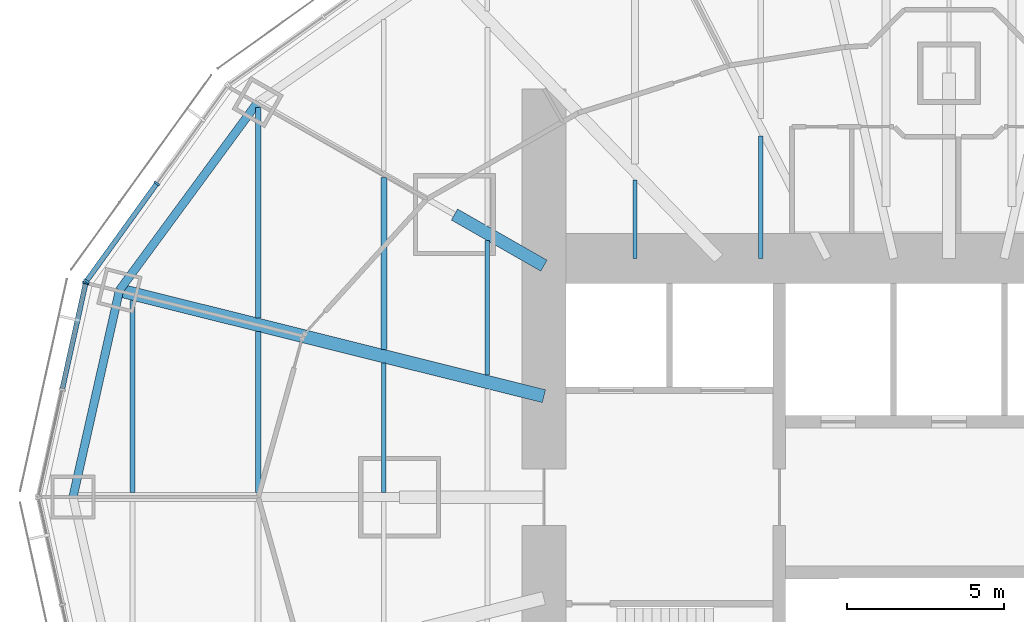
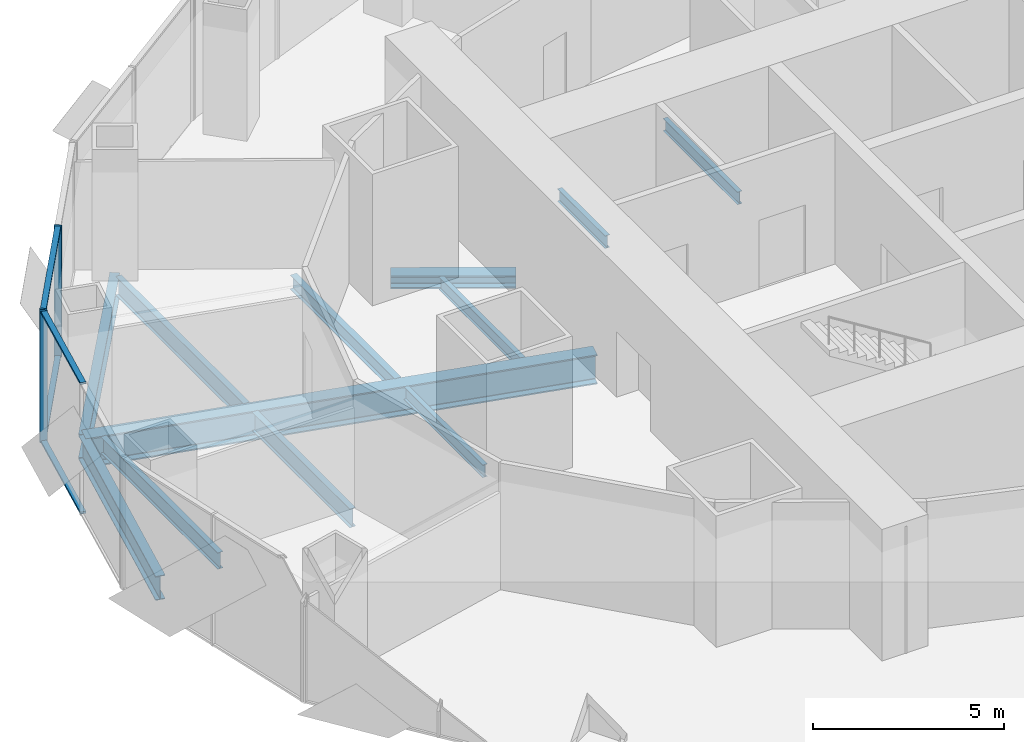
# One storey, part 4 of 17: 12 beams, 7 members, 2 elements without a shape of their own.
"""IFC4 building model written with IfcOpenShell, lengths in metres."""

from ifc_helpers import new_model, si_unit, direction, frame, origin, origin_2d, place, context, subcontext, project, spatial, rectangle, i_section, extrude, material, material_profile, profile_set, type_object, element, aggregate, save


model = new_model("IFC4")

# Units and contexts
model_context = context("Model", 3, precision=1e-05, world=origin(), true_north=direction((0.0, 1.0)))
body_context = subcontext(model_context, "Body", "Model", "MODEL_VIEW")
ifc_project = project(units=[si_unit("LENGTHUNIT", "METRE"), si_unit("AREAUNIT", "SQUARE_METRE"), si_unit("VOLUMEUNIT", "CUBIC_METRE"), si_unit("PLANEANGLEUNIT", "RADIAN"), si_unit("MASSUNIT", "GRAM", prefix="KILO")], contexts=[model_context])

# Site, building, storey
site_placement = place(None, origin())
site = spatial("IfcSite", under=ifc_project, at=site_placement, CompositionType="ELEMENT")
building_placement = place(site_placement, origin())
building = spatial("IfcBuilding", under=site, at=building_placement, Name="Lantaw Convention Tower", CompositionType="ELEMENT")
storey_placement = place(building_placement, frame((0.0, 0.0, 125.800048828125)))
storey = spatial("IfcBuildingStorey", under=building, at=storey_placement, Name="L29", CompositionType="ELEMENT", Elevation=125.800048828125)

# Beams
ifc_material_1 = material(Name="Steel ASTM A992", Category="steel")
ifc_material_profile_1 = material_profile(ifc_material_1, i_section(OverallWidth=0.2666015625, OverallDepth=0.76953125, WebThickness=0.015625, FlangeThickness=0.025390625, FilletRadius=0.0126953125, at=origin_2d()), Name="W30X132")
ifc_profile_set_1 = profile_set([ifc_material_profile_1], Name="Steel ASTM A992")
beam_type_1 = type_object("IfcBeamType", Name="Beam E W30X132", PredefinedType="SPANDREL", material=ifc_profile_set_1)
beam_1_placement = place(storey_placement, frame((-22.013916015625, 12.579345703125, -0.534912109375), z_axis=(-0.5923891972, -0.805651934176, 0.0), x_axis=(0.805651934176, -0.5923891972, 0.0)))
element("IfcBeam", 1, at=beam_1_placement, inside=storey, type_object=beam_type_1, Name="Edge beam 11", PredefinedType="SPANDREL", context=body_context, shape_type="SweptSolid", body=[
    extrude(i_section(OverallWidth=0.2666015625, OverallDepth=0.76953125, WebThickness=0.015625, FlangeThickness=0.025390625, FilletRadius=0.0126953125, at=origin_2d()), origin(), (0.0, 0.0, 1.0), 7.437744140625),
])
beam_2_placement = place(storey_placement, frame((-26.419921875, 6.587158203125, -0.534912109375), z_axis=(-0.219211877447, -0.975677279015, 0.0), x_axis=(0.975677279015, -0.219211877447, 0.0)))
element("IfcBeam", 2, at=beam_2_placement, inside=storey, type_object=beam_type_1, Name="Edge beam 12", PredefinedType="SPANDREL", context=body_context, shape_type="SweptSolid", body=[
    extrude(i_section(OverallWidth=0.2666015625, OverallDepth=0.76953125, WebThickness=0.015625, FlangeThickness=0.025390625, FilletRadius=0.0126953125, at=origin_2d()), origin(), (0.0, 0.0, 1.0), 6.75146484375),
])
ifc_material_profile_2 = material_profile(ifc_material_1, i_section(OverallWidth=0.421630859375, OverallDepth=0.937255859375, WebThickness=0.0224609375, FlangeThickness=0.039794921875, FilletRadius=0.02001953125, at=origin_2d()), Name="W36X282")
ifc_profile_set_2 = profile_set([ifc_material_profile_2], Name="Steel ASTM A992")
beam_type_2 = type_object("IfcBeamType", Name="Beam G W36X282", PredefinedType="BEAM", material=ifc_profile_set_2)
beam_3_placement = place(storey_placement, frame((-12.89990234375, 3.21630859375, -0.61865234375), z_axis=(-0.970296903132, 0.24191717544, 0.0), x_axis=(-0.24191717544, -0.970296903132, 0.0)))
element("IfcBeam", 3, at=beam_3_placement, inside=storey, type_object=beam_type_2, Name="Floor girder on ray 12", PredefinedType="BEAM", context=body_context, shape_type="SweptSolid", body=[
    extrude(i_section(OverallWidth=0.421630859375, OverallDepth=0.937255859375, WebThickness=0.0224609375, FlangeThickness=0.039794921875, FilletRadius=0.02001953125, at=origin_2d()), origin(), (0.0, 0.0, 1.0), 13.933837890625),
])
ifc_material_profile_3 = material_profile(ifc_material_1, i_section(OverallWidth=0.40380859375, OverallDepth=0.406494140625, WebThickness=0.027099609375, FlangeThickness=0.043701171875, FilletRadius=0.01513671875, at=origin_2d()), Name="W14X233")
ifc_profile_set_3 = profile_set([ifc_material_profile_3], Name="Steel ASTM A992")
beam_type_3 = type_object("IfcBeamType", Name="Beam GM W14X233", PredefinedType="BEAM", material=ifc_profile_set_3)
beam_4_placement = place(storey_placement, frame((-12.89990234375, 7.371337890625, -0.353271484375), z_axis=(-0.868238565244, 0.496146947811, 0.0), x_axis=(-0.496146947811, -0.868238565244, 0.0)))
element("IfcBeam", 4, at=beam_4_placement, inside=storey, type_object=beam_type_3, Name="Core link beam on ray 11", PredefinedType="BEAM", context=body_context, shape_type="SweptSolid", body=[
    extrude(i_section(OverallWidth=0.40380859375, OverallDepth=0.406494140625, WebThickness=0.027099609375, FlangeThickness=0.043701171875, FilletRadius=0.01513671875, at=origin_2d()), origin(), (0.0, 0.0, 1.0), 3.28271484375),
])
ifc_material_profile_4 = material_profile(ifc_material_1, i_section(OverallWidth=0.140380859375, OverallDepth=0.40380859375, WebThickness=0.007080078125, FlangeThickness=0.01123046875, FilletRadius=0.01025390625, at=origin_2d()), Name="W16X31")
ifc_profile_set_4 = profile_set([ifc_material_profile_4], Name="Steel ASTM A992")
beam_type_4 = type_object("IfcBeamType", Name="Beam J W16X31", PredefinedType="JOIST", material=ifc_profile_set_4)
beam_5_placement = place(storey_placement, frame((-18.0, 0.14599609375, -0.35205078125), z_axis=(0.0, 1.0, 0.0), x_axis=(-1.0, 0.0, 0.0)))
element("IfcBeam", 5, at=beam_5_placement, inside=storey, type_object=beam_type_4, Name="Floor joist", PredefinedType="JOIST", context=body_context, shape_type="SweptSolid", body=[
    extrude(i_section(OverallWidth=0.140380859375, OverallDepth=0.40380859375, WebThickness=0.007080078125, FlangeThickness=0.01123046875, FilletRadius=0.01025390625, at=origin_2d()), origin(), (0.0, 0.0, 1.0), 4.124755859375),
])
beam_6_placement = place(storey_placement, frame((-14.699951171875, 3.88232421875, -0.35205078125), z_axis=(0.0, 1.0, 0.0), x_axis=(-1.0, 0.0, 0.0)))
element("IfcBeam", 6, at=beam_6_placement, inside=storey, type_object=beam_type_4, Name="Floor joist", PredefinedType="JOIST", context=body_context, shape_type="SweptSolid", body=[
    extrude(i_section(OverallWidth=0.140380859375, OverallDepth=0.40380859375, WebThickness=0.007080078125, FlangeThickness=0.01123046875, FilletRadius=0.01025390625, at=origin_2d()), origin(), (0.0, 0.0, 1.0), 4.28515625),
])
beam_7_placement = place(storey_placement, frame((-10.0, 7.60009765625, -0.35205078125), z_axis=(0.0, 1.0, 0.0), x_axis=(-1.0, 0.0, 0.0)))
element("IfcBeam", 7, at=beam_7_placement, inside=storey, type_object=beam_type_4, Name="Floor joist", PredefinedType="JOIST", context=body_context, shape_type="SweptSolid", body=[
    extrude(i_section(OverallWidth=0.140380859375, OverallDepth=0.40380859375, WebThickness=0.007080078125, FlangeThickness=0.01123046875, FilletRadius=0.01025390625, at=origin_2d()), origin(), (0.0, 0.0, 1.0), 2.49560546875),
])
beam_8_placement = place(storey_placement, frame((-6.0, 7.60009765625, -0.35205078125), z_axis=(0.0, 1.0, 0.0), x_axis=(-1.0, 0.0, 0.0)))
element("IfcBeam", 8, at=beam_8_placement, inside=storey, type_object=beam_type_4, Name="Floor joist", PredefinedType="JOIST", context=body_context, shape_type="SweptSolid", body=[
    extrude(i_section(OverallWidth=0.140380859375, OverallDepth=0.40380859375, WebThickness=0.007080078125, FlangeThickness=0.01123046875, FilletRadius=0.01025390625, at=origin_2d()), origin(), (0.0, 0.0, 1.0), 3.895751953125),
])
ifc_material_profile_5 = material_profile(ifc_material_1, i_section(OverallWidth=0.1904296875, OverallDepth=0.457275390625, WebThickness=0.009033203125, FlangeThickness=0.014404296875, FilletRadius=0.01025390625, at=origin_2d()), Name="W18X50")
ifc_profile_set_5 = profile_set([ifc_material_profile_5], Name="Steel ASTM A992")
beam_type_5 = type_object("IfcBeamType", Name="Beam J W18X50", PredefinedType="JOIST", material=ifc_profile_set_5)
beam_9_placement = place(storey_placement, frame((-18.0, 4.705078125, -0.378662109375), z_axis=(0.0, 1.0, 0.0), x_axis=(-1.0, 0.0, 0.0)))
element("IfcBeam", 9, at=beam_9_placement, inside=storey, type_object=beam_type_5, Name="Floor joist", PredefinedType="JOIST", context=body_context, shape_type="SweptSolid", body=[
    extrude(i_section(OverallWidth=0.1904296875, OverallDepth=0.457275390625, WebThickness=0.009033203125, FlangeThickness=0.014404296875, FilletRadius=0.01025390625, at=origin_2d()), origin(), (0.0, 0.0, 1.0), 5.47802734375),
])
ifc_material_profile_6 = material_profile(ifc_material_1, i_section(OverallWidth=0.1650390625, OverallDepth=0.52587890625, WebThickness=0.0087890625, FlangeThickness=0.011474609375, FilletRadius=0.0126953125, at=origin_2d()), Name="W21X44")
ifc_profile_set_6 = profile_set([ifc_material_profile_6], Name="Steel ASTM A992")
beam_type_6 = type_object("IfcBeamType", Name="Beam J W21X44", PredefinedType="JOIST", material=ifc_profile_set_6)
beam_10_placement = place(storey_placement, frame((-26.0, 0.14599609375, -0.412841796875), z_axis=(0.0, 1.0, 0.0), x_axis=(-1.0, 0.0, 0.0)))
element("IfcBeam", 10, at=beam_10_placement, inside=storey, type_object=beam_type_6, Name="Floor joist", PredefinedType="JOIST", context=body_context, shape_type="SweptSolid", body=[
    extrude(i_section(OverallWidth=0.1650390625, OverallDepth=0.52587890625, WebThickness=0.0087890625, FlangeThickness=0.011474609375, FilletRadius=0.0126953125, at=origin_2d()), origin(), (0.0, 0.0, 1.0), 6.119140625),
])
ifc_material_profile_7 = material_profile(ifc_material_1, i_section(OverallWidth=0.177978515625, OverallDepth=0.599365234375, WebThickness=0.010009765625, FlangeThickness=0.012939453125, FilletRadius=0.012939453125, at=origin_2d()), Name="W24X55")
ifc_profile_set_7 = profile_set([ifc_material_profile_7], Name="Steel ASTM A992")
beam_type_7 = type_object("IfcBeamType", Name="Beam J W24X55", PredefinedType="JOIST", material=ifc_profile_set_7)
beam_11_placement = place(storey_placement, frame((-22.0, 0.14599609375, -0.44970703125), z_axis=(0.0, 1.0, 0.0), x_axis=(-1.0, 0.0, 0.0)))
element("IfcBeam", 11, at=beam_11_placement, inside=storey, type_object=beam_type_7, Name="Floor joist", PredefinedType="JOIST", context=body_context, shape_type="SweptSolid", body=[
    extrude(i_section(OverallWidth=0.177978515625, OverallDepth=0.599365234375, WebThickness=0.010009765625, FlangeThickness=0.012939453125, FilletRadius=0.012939453125, at=origin_2d()), origin(), (0.0, 0.0, 1.0), 5.121826171875),
])
beam_12_placement = place(storey_placement, frame((-22.0, 5.702392578125, -0.44970703125), z_axis=(0.0, 1.0, 0.0), x_axis=(-1.0, 0.0, 0.0)))
element("IfcBeam", 12, at=beam_12_placement, inside=storey, type_object=beam_type_7, Name="Floor joist", PredefinedType="JOIST", context=body_context, shape_type="SweptSolid", body=[
    extrude(i_section(OverallWidth=0.177978515625, OverallDepth=0.599365234375, WebThickness=0.010009765625, FlangeThickness=0.012939453125, FilletRadius=0.012939453125, at=origin_2d()), origin(), (0.0, 0.0, 1.0), 6.70654296875),
])

# Curtain wall, members
ifc_material_2 = material(Name="Aluminium framed curtain wall", Category="aluminium")
curtain_wall_type = type_object("IfcCurtainWallType", Name="Office curtain wall low rise, pale aluminium", PredefinedType="USERDEFINED", material=ifc_material_2)
curtain_wall_1_placement = place(storey_placement, origin())
curtain_wall_1 = element("IfcCurtainWall", 13, at=curtain_wall_1_placement, inside=storey, type_object=curtain_wall_type, Name="Office curtain wall low rise, pale aluminium L29", ObjectType="UNITISED CURTAIN WALL", PredefinedType="USERDEFINED")
ifc_material_3 = material(Name="Aluminium 6063-T6", Category="aluminium")
ifc_material_profile_8 = material_profile(ifc_material_3, rectangle(XDim=0.199951171875, YDim=0.06494140625, at=origin_2d()), Name="CW-O1 mullion 65x200")
ifc_profile_set_8 = profile_set([ifc_material_profile_8], Name="Aluminium 6063-T6")
member_type_1 = type_object("IfcMemberType", Name="CW-O1 mullion 65x200", PredefinedType="MULLION", material=ifc_profile_set_8)
member_1_placement = place(storey_placement, frame((-25.22802734375, 9.9892578125, -0.150146484375), z_axis=(0.0, 0.0, 1.0), x_axis=(0.811384633629, -0.584512597221, 0.0)))
member_1 = element("IfcMember", 14, at=member_1_placement, type_object=member_type_1, Name="CW-O1 mullion 2", PredefinedType="MULLION", context=body_context, shape_type="SweptSolid", body=[
    extrude(rectangle(XDim=0.199951171875, YDim=0.06494140625, at=origin_2d()), origin(), (0.0, 0.0, 1.0), 4.2001953125),
])
member_2_placement = place(storey_placement, frame((-27.46826171875, 6.879638671875, -0.150146484375), z_axis=(0.0, 0.0, 1.0), x_axis=(0.811384633629, -0.584512597221, 0.0)))
member_2 = element("IfcMember", 15, at=member_2_placement, type_object=member_type_1, Name="CW-O1 mullion 3", PredefinedType="MULLION", context=body_context, shape_type="SweptSolid", body=[
    extrude(rectangle(XDim=0.199951171875, YDim=0.06494140625, at=origin_2d()), origin(), (0.0, 0.0, 1.0), 4.2001953125),
])

# Curtain wall, member
curtain_wall_2_placement = place(storey_placement, origin())
curtain_wall_2 = element("IfcCurtainWall", 16, at=curtain_wall_2_placement, inside=storey, type_object=curtain_wall_type, Name="Office curtain wall low rise, pale aluminium L29", ObjectType="UNITISED CURTAIN WALL", PredefinedType="USERDEFINED")
member_3_placement = place(storey_placement, frame((-27.494140625, 6.821533203125, -0.150146484375), z_axis=(0.0, 0.0, 1.0), x_axis=(0.9764936509, -0.215546166174, 0.0)))
member_3 = element("IfcMember", 17, at=member_3_placement, type_object=member_type_1, Name="CW-O1 mullion 1", PredefinedType="MULLION", context=body_context, shape_type="SweptSolid", body=[
    extrude(rectangle(XDim=0.199951171875, YDim=0.06494140625, at=origin_2d()), origin(), (0.0, 0.0, 1.0), 4.2001953125),
])

# Member
ifc_material_profile_9 = material_profile(ifc_material_3, rectangle(XDim=0.159912109375, YDim=0.06494140625, at=origin_2d()), Name="CW-O1 transom 65x160")
ifc_profile_set_9 = profile_set([ifc_material_profile_9], Name="Aluminium 6063-T6")
member_type_2 = type_object("IfcMemberType", Name="CW-O1 transom 65x160", PredefinedType="USERDEFINED", material=ifc_profile_set_9)
member_4_placement = place(storey_placement, frame((-25.2470703125, 9.962890625, -0.117431640625), z_axis=(-0.584512973979, -0.811384362217, 0.0), x_axis=(0.811384362217, -0.584512973979, 0.0)))
member_4 = element("IfcMember", 18, at=member_4_placement, type_object=member_type_2, Name="CW-O1 transom 2.1", ObjectType="TRANSOM", PredefinedType="USERDEFINED", context=body_context, shape_type="SweptSolid", body=[
    extrude(rectangle(XDim=0.159912109375, YDim=0.06494140625, at=origin_2d()), origin(), (0.0, 0.0, 1.0), 3.767578125),
])

member_5_placement = place(storey_placement, frame((-25.2470703125, 9.962890625, 4.017333984375), z_axis=(-0.584512973979, -0.811384362217, 0.0), x_axis=(0.811384362217, -0.584512973979, 0.0)))
member_5 = element("IfcMember", 19, at=member_5_placement, type_object=member_type_2, Name="CW-O1 transom 2.2", ObjectType="TRANSOM", PredefinedType="USERDEFINED", context=body_context, shape_type="SweptSolid", body=[
    extrude(rectangle(XDim=0.159912109375, YDim=0.06494140625, at=origin_2d()), origin(), (0.0, 0.0, 1.0), 3.767578125),
])

aggregate(curtain_wall_1, [member_1, member_2, member_4, member_5])

member_6_placement = place(storey_placement, frame((-27.501220703125, 6.789794921875, -0.117431640625), z_axis=(-0.21555115847, -0.976492548913, 0.0), x_axis=(0.976492548913, -0.21555115847, 0.0)))
member_6 = element("IfcMember", 20, at=member_6_placement, type_object=member_type_2, Name="CW-O1 transom 1.1", ObjectType="TRANSOM", PredefinedType="USERDEFINED", context=body_context, shape_type="SweptSolid", body=[
    extrude(rectangle(XDim=0.159912109375, YDim=0.06494140625, at=origin_2d()), origin(), (0.0, 0.0, 1.0), 3.411376953125),
])

member_7_placement = place(storey_placement, frame((-27.501220703125, 6.789794921875, 4.017333984375), z_axis=(-0.21555115847, -0.976492548913, 0.0), x_axis=(0.976492548913, -0.21555115847, 0.0)))
member_7 = element("IfcMember", 21, at=member_7_placement, type_object=member_type_2, Name="CW-O1 transom 1.2", ObjectType="TRANSOM", PredefinedType="USERDEFINED", context=body_context, shape_type="SweptSolid", body=[
    extrude(rectangle(XDim=0.159912109375, YDim=0.06494140625, at=origin_2d()), origin(), (0.0, 0.0, 1.0), 3.411376953125),
])

aggregate(curtain_wall_2, [member_3, member_6, member_7])

save(model, "model.ifc")
